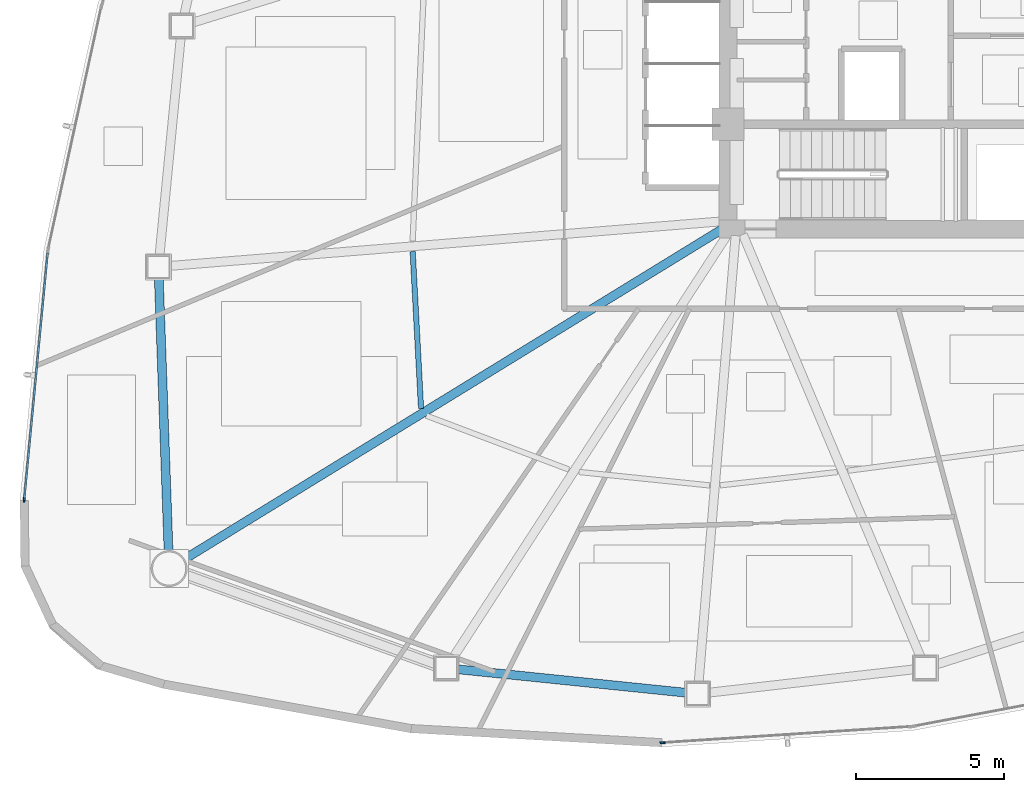
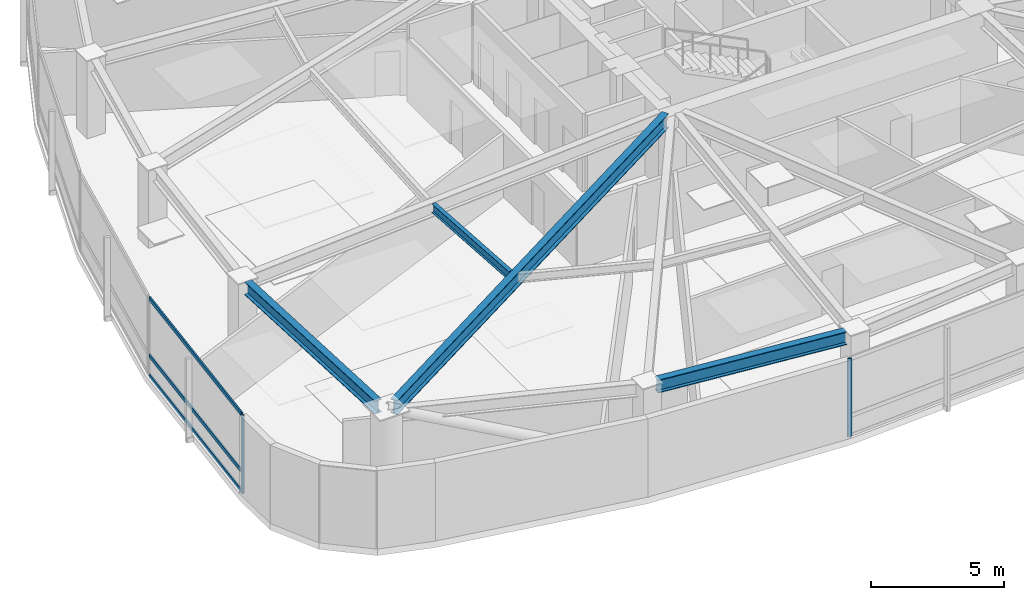
# One storey, part 2 of 18: 5 members, 4 beams, 2 elements without a shape of their own.
"""IFC4 building model written with IfcOpenShell, lengths in metres."""

import ifcopenshell
import ifcopenshell.guid

model = None  # the IFC model being written
_history = None  # IfcOwnerHistory: only IFC2X3 demands one
_inside = {}  # id of a spatial element -> (the spatial element, [elements in it])
_under = {}  # id of a project, library or spatial element -> (it, [spatial elements below it])
_declared = {}  # id of a project -> (the project, [libraries it declares])
_typed = {}  # id of a type object -> (the type object, [elements of that type])
_made_of = {}  # id of a material, layer set ... -> (it, [elements and type objects made of it])


def new_model(schema):
    """Start an empty IFC model of exactly this schema.

    Asked for "IFC4X3", IfcOpenShell would pick the latest addendum, in which some entities
    have other attributes; the version numbers below select the first issue.
    IFC2X3 requires an IfcOwnerHistory on every rooted entity: one is made here for all.
    """
    global model, _history
    if schema == "IFC4X3":
        model = ifcopenshell.file(schema_version=(4, 3, 0, 0))
    else:
        model = ifcopenshell.file(schema=schema)
    _inside.clear()
    _under.clear()
    _declared.clear()
    _typed.clear()
    _made_of.clear()
    _history = None
    if model.schema == "IFC2X3":
        org = make("IfcOrganization", Name="unknown")
        user = make(
            "IfcPersonAndOrganization",
            ThePerson=make("IfcPerson", FamilyName="unknown"),
            TheOrganization=org,
        )
        app = make(
            "IfcApplication",
            ApplicationDeveloper=org,
            Version="unknown",
            ApplicationFullName="unknown",
            ApplicationIdentifier="unknown",
        )
        _history = make(
            "IfcOwnerHistory",
            OwningUser=user,
            OwningApplication=app,
            ChangeAction="ADDED",
            CreationDate=0,
        )
    return model


def make(cls, **values):
    """One entity of the class cls with the attributes given. An attribute that is None is left unset."""
    return model.create_entity(
        cls, **{name: value for name, value in values.items() if value is not None}
    )


def rooted(cls, **values):
    """An entity with a GlobalId (a new one), such as an element, a storey or a relation."""
    return make(cls, GlobalId=ifcopenshell.guid.new(), OwnerHistory=_history, **values)


def si_unit(unit_type, name, prefix=None):
    """IfcSIUnit, for example si_unit("LENGTHUNIT", "METRE", prefix="MILLI")."""
    return make("IfcSIUnit", UnitType=unit_type, Prefix=prefix, Name=name)


def assignment(units):
    """IfcUnitAssignment: the units of a project."""
    return None if units is None else make("IfcUnitAssignment", Units=units)


def point(xyz):
    """IfcCartesianPoint."""
    return None if xyz is None else make("IfcCartesianPoint", Coordinates=xyz)


def direction(xyz):
    """IfcDirection."""
    return None if xyz is None else make("IfcDirection", DirectionRatios=xyz)


def frame(location, z_axis=None, x_axis=None):
    """IfcAxis2Placement3D, a coordinate frame: its origin and axes. An axis left out is left unset."""
    return make(
        "IfcAxis2Placement3D",
        Location=point(location),
        Axis=direction(z_axis),
        RefDirection=direction(x_axis),
    )


def frame_2d(location, x_axis=None):
    """IfcAxis2Placement2D, a coordinate frame in the plane: its origin and x axis."""
    return make(
        "IfcAxis2Placement2D", Location=point(location), RefDirection=direction(x_axis)
    )


def origin():
    """The frame at (0, 0, 0) with its axes left unset."""
    return frame((0.0, 0.0, 0.0))


def origin_2d():
    """The frame at (0, 0) in the plane with its x axis left unset."""
    return frame_2d((0.0, 0.0))


def place(relative_to, where):
    """IfcLocalPlacement: puts the frame where relative to a parent placement (None: the world)."""
    return make(
        "IfcLocalPlacement", PlacementRelTo=relative_to, RelativePlacement=where
    )


def context(
    kind, dimensions, precision=None, world=None, true_north=None, identifier=None
):
    """IfcGeometricRepresentationContext, for example the 3D "Model" context."""
    return make(
        "IfcGeometricRepresentationContext",
        ContextIdentifier=identifier,
        ContextType=kind,
        CoordinateSpaceDimension=dimensions,
        Precision=precision,
        WorldCoordinateSystem=world,
        TrueNorth=true_north,
    )


def subcontext(parent, identifier, kind, view, scale=None):
    """IfcGeometricRepresentationSubContext, for example "Body" below "Model"."""
    return make(
        "IfcGeometricRepresentationSubContext",
        ContextIdentifier=identifier,
        ContextType=kind,
        ParentContext=parent,
        TargetScale=scale,
        TargetView=view,
    )


def project(units=None, contexts=None):
    """IfcProject with its units and contexts."""
    return rooted(
        "IfcProject",
        Name="project",
        RepresentationContexts=contexts,
        UnitsInContext=assignment(units),
    )


def spatial(cls, under=None, at=None, **own):
    """A site, building, storey or space (cls), placed at a placement, below another one or the project."""
    s = rooted(cls, ObjectPlacement=at, **own)
    if under is not None:
        _under.setdefault(under.id(), (under, []))[1].append(s)
    return s


def profile(cls, at=None, kind="AREA", **sizes):
    """A parametric profile (cls). Its sizes go by their IFC names, for example OverallWidth=200.0."""
    return make(cls, ProfileType=kind, Position=at, **sizes)


def hollow_rectangle(**sizes):
    """IfcRectangleHollowProfileDef."""
    return profile("IfcRectangleHollowProfileDef", **sizes)


def i_section(**sizes):
    """IfcIShapeProfileDef."""
    return profile("IfcIShapeProfileDef", **sizes)


def extrude(swept, where, along, depth):
    """IfcExtrudedAreaSolid: the profile swept, set in the frame where, extruded along a direction by depth."""
    return make(
        "IfcExtrudedAreaSolid",
        SweptArea=swept,
        Position=where,
        ExtrudedDirection=direction(along),
        Depth=depth,
    )


def shape(context_of_items, identifier, shape_type, items):
    """IfcShapeRepresentation: the items that make up one representation, for example the "Body"."""
    return make(
        "IfcShapeRepresentation",
        ContextOfItems=context_of_items,
        RepresentationIdentifier=identifier,
        RepresentationType=shape_type,
        Items=items,
    )


def source(mapping_origin, context_of_items, identifier, shape_type, items):
    """IfcRepresentationMap: a shape defined once, which mapped items show again and again."""
    return make(
        "IfcRepresentationMap",
        MappingOrigin=mapping_origin,
        MappedRepresentation=shape(context_of_items, identifier, shape_type, items),
    )


def transform(
    local_origin,
    x_axis=None,
    y_axis=None,
    z_axis=None,
    scale=None,
    scale2=None,
    scale3=None,
    uniform=True,
):
    """IfcCartesianTransformationOperator3D, or its non-uniform kind. x_axis, y_axis, z_axis: its Axis1, 2, 3."""
    if uniform:
        return make(
            "IfcCartesianTransformationOperator3D",
            Axis1=direction(x_axis),
            Axis2=direction(y_axis),
            LocalOrigin=point(local_origin),
            Scale=scale,
            Axis3=direction(z_axis),
        )
    return make(
        "IfcCartesianTransformationOperator3DnonUniform",
        Axis1=direction(x_axis),
        Axis2=direction(y_axis),
        LocalOrigin=point(local_origin),
        Scale=scale,
        Axis3=direction(z_axis),
        Scale2=scale2,
        Scale3=scale3,
    )


def mapped(mapping_source, mapping_target):
    """IfcMappedItem: shows the shape of a source again, moved by a transform."""
    return make(
        "IfcMappedItem", MappingSource=mapping_source, MappingTarget=mapping_target
    )


def material(Name=None, Category=None):
    """IfcMaterial."""
    return make("IfcMaterial", Name=Name, Category=Category)


def layer(
    of_material, thickness, ventilated=None, Name=None, Category=None, Priority=None
):
    """IfcMaterialLayer: one layer of a wall or slab, of a material (None: an air gap)."""
    return make(
        "IfcMaterialLayer",
        Material=of_material,
        LayerThickness=thickness,
        IsVentilated=ventilated,
        Name=Name,
        Category=Category,
        Priority=Priority,
    )


def layer_set(layers, Name=None):
    """IfcMaterialLayerSet."""
    return make("IfcMaterialLayerSet", MaterialLayers=layers, LayerSetName=Name)


def material_profile(
    of_material, cross_section, Name=None, Category=None, Priority=None
):
    """IfcMaterialProfile: a cross section and its material."""
    return make(
        "IfcMaterialProfile",
        Name=Name,
        Material=of_material,
        Profile=cross_section,
        Priority=Priority,
        Category=Category,
    )


def profile_set(profiles, Name=None, composite=None):
    """IfcMaterialProfileSet."""
    return make(
        "IfcMaterialProfileSet",
        Name=Name,
        MaterialProfiles=profiles,
        CompositeProfile=composite,
    )


def made_of(thing, what):
    """Note that an element or type object is made of a material, layer set ...; save() writes the relation."""
    if what is not None:
        _made_of.setdefault(what.id(), (what, []))[1].append(thing)
    return thing


def type_object(cls, material=None, **own):
    """A type object (cls), such as IfcWallType, which elements share."""
    return made_of(rooted(cls, **own), material)


def type_shapes(of_type, sources):
    """Give a type object the sources (RepresentationMaps) that its elements show as mapped items."""
    of_type.RepresentationMaps = sources


def element(
    cls,
    number,
    at=None,
    inside=None,
    cuts=None,
    type_object=None,
    material=None,
    context=None,
    identifier="Body",
    shape_type=None,
    held_by="IfcProductDefinitionShape",
    body=None,
    shapes=None,
    **own,
):
    """One element of the class cls, such as IfcWall. Its Tag is "e" and its number.

    at: its placement. inside: the storey or other place that contains it. cuts: it is an
    opening in that element (IfcRelVoidsElement). A single representation is given by context,
    identifier, shape_type and body (its items); several are given by shapes. held_by: the class
    of the entity that holds the representations. save() writes the other relations.
    """
    e = rooted(cls, Tag="e%d" % number, ObjectPlacement=at, **own)
    if body is not None:
        shapes = [shape(context, identifier, shape_type, body)]
    if shapes is not None:
        e.Representation = make(held_by, Representations=shapes)
    if inside is not None:
        _inside.setdefault(inside.id(), (inside, []))[1].append(e)
    if cuts is not None:
        rooted(
            "IfcRelVoidsElement", RelatingBuildingElement=cuts, RelatedOpeningElement=e
        )
    if type_object is not None:
        _typed.setdefault(type_object.id(), (type_object, []))[1].append(e)
    return made_of(e, material)


def aggregate(whole, parts):
    """IfcRelAggregates: a whole, such as a stair, and the parts it consists of."""
    return rooted("IfcRelAggregates", RelatingObject=whole, RelatedObjects=parts)


def save(model, path):
    """Write the relations noted so far, then the file.

    IfcRelAggregates (storeys below a building ...), IfcRelContainedInSpatialStructure (elements
    in a storey), IfcRelDefinesByType, IfcRelAssociatesMaterial and IfcRelDeclares: one each for
    every whole, place, type object, material and project.
    """
    for whole, parts in _under.values():
        aggregate(whole, parts)
    for where, things in _inside.values():
        rooted(
            "IfcRelContainedInSpatialStructure",
            RelatedElements=things,
            RelatingStructure=where,
        )
    for kind, things in _typed.values():
        rooted("IfcRelDefinesByType", RelatedObjects=things, RelatingType=kind)
    for what, things in _made_of.values():
        rooted("IfcRelAssociatesMaterial", RelatedObjects=things, RelatingMaterial=what)
    for by, libraries in _declared.values():
        rooted("IfcRelDeclares", RelatingContext=by, RelatedDefinitions=libraries)
    model.write(path)


model = new_model("IFC4")

# Units and contexts
model_context = context("Model", 3, precision=1e-05, world=origin(), true_north=direction((0.0, 1.0)))
body_context = subcontext(model_context, "Body", "Model", "MODEL_VIEW")
ifc_project = project(units=[si_unit("LENGTHUNIT", "METRE"), si_unit("AREAUNIT", "SQUARE_METRE"), si_unit("VOLUMEUNIT", "CUBIC_METRE"), si_unit("PLANEANGLEUNIT", "RADIAN"), si_unit("MASSUNIT", "GRAM", prefix="KILO")], contexts=[model_context])

# Site, building, storey
site_placement = place(None, origin())
site = spatial("IfcSite", under=ifc_project, at=site_placement, CompositionType="ELEMENT")
building_placement = place(site_placement, origin())
building = spatial("IfcBuilding", under=site, at=building_placement, Name="Tavelor Broadcast Tower", CompositionType="ELEMENT")
storey_placement = place(building_placement, frame((0.0, 0.0, 54.89990234375)))
storey = spatial("IfcBuildingStorey", under=building, at=storey_placement, Name="L12", CompositionType="ELEMENT", Elevation=54.89990234375)

# Beams
ifc_material_1 = material(Name="Steel S355", Category="steel")
ifc_material_profile_1 = material_profile(ifc_material_1, i_section(OverallWidth=0.179931640625, OverallDepth=0.39990234375, WebThickness=0.008544921875, FlangeThickness=0.013427734375, at=origin_2d()), Name="IPE 400")
ifc_profile_set_1 = profile_set([ifc_material_profile_1], Name="Steel S355")
beam_type_1 = type_object("IfcBeamType", Name="Composite Floor Joist T1 IPE 400", PredefinedType="JOIST", material=ifc_profile_set_1)
beam_1_placement = place(storey_placement, frame((32.413330078125, 37.73095703125, 3.400146484375), z_axis=(0.053261912521, -0.998580576956, 0.0), x_axis=(0.998580576956, 0.053261912521, 0.0)))
element("IfcBeam", 1, at=beam_1_placement, inside=storey, type_object=beam_type_1, Name="L12 Secondary Composite Floor Joist 06", PredefinedType="JOIST", context=body_context, shape_type="SweptSolid", body=[
    extrude(i_section(OverallWidth=0.179931640625, OverallDepth=0.39990234375, WebThickness=0.008544921875, FlangeThickness=0.013427734375, at=origin_2d()), origin(), (0.0, 0.0, 1.0), 5.32177734375),
])
ifc_material_profile_2 = material_profile(ifc_material_1, i_section(OverallWidth=0.300048828125, OverallDepth=0.60009765625, WebThickness=0.015380859375, FlangeThickness=0.030029296875, at=origin_2d()), Name="HEB 600")
ifc_profile_set_2 = profile_set([ifc_material_profile_2], Name="Steel S355")
beam_type_2 = type_object("IfcBeamType", Name="Perimeter Spandrel Beam T1 HEB 600", PredefinedType="SPANDREL", material=ifc_profile_set_2)
beam_2_placement = place(storey_placement, frame((23.808349609375, 36.83251953125, 3.300048828125), z_axis=(0.035604109309, -0.999365972705, 0.0), x_axis=(0.999365972705, 0.035604109309, 0.0)))
element("IfcBeam", 2, at=beam_2_placement, inside=storey, type_object=beam_type_2, Name="L12 Framed-Tube Ring Spandrel 06", PredefinedType="SPANDREL", context=body_context, shape_type="SweptSolid", body=[
    extrude(i_section(OverallWidth=0.300048828125, OverallDepth=0.60009765625, WebThickness=0.015380859375, FlangeThickness=0.030029296875, at=origin_2d()), origin(), (0.0, 0.0, 1.0), 9.263916015625),
])
beam_3_placement = place(storey_placement, frame((33.932861328125, 23.576416015625, 3.300048828125), z_axis=(0.994769619219, -0.102144038879, 0.0), x_axis=(0.102144038879, 0.994769619219, 0.0)))
element("IfcBeam", 3, at=beam_3_placement, inside=storey, type_object=beam_type_2, Name="L12 Framed-Tube Ring Spandrel 08", PredefinedType="SPANDREL", context=body_context, shape_type="SweptSolid", body=[
    extrude(i_section(OverallWidth=0.300048828125, OverallDepth=0.60009765625, WebThickness=0.015380859375, FlangeThickness=0.030029296875, at=origin_2d()), origin(), (0.0, 0.0, 1.0), 7.799072265625),
])
ifc_material_profile_3 = material_profile(ifc_material_1, i_section(OverallWidth=0.300048828125, OverallDepth=0.64990234375, WebThickness=0.01611328125, FlangeThickness=0.031005859375, at=origin_2d()), Name="HEB 650")
ifc_profile_set_3 = profile_set([ifc_material_profile_3], Name="Steel S355")
beam_type_3 = type_object("IfcBeamType", Name="Radial Floor Girder T1 HEB 650", PredefinedType="BEAM", material=ifc_profile_set_3)
beam_4_placement = place(storey_placement, frame((42.949951171875, 38.523681640625, 3.275146484375), z_axis=(-0.852260376483, -0.523117817205, 0.0), x_axis=(0.523117817205, -0.852260376483, 0.0)))
element("IfcBeam", 4, at=beam_4_placement, inside=storey, type_object=beam_type_3, Name="L12 Radial Primary Floor Girder 07", PredefinedType="BEAM", context=body_context, shape_type="SweptSolid", body=[
    extrude(i_section(OverallWidth=0.300048828125, OverallDepth=0.64990234375, WebThickness=0.01611328125, FlangeThickness=0.031005859375, at=origin_2d()), origin(), (0.0, 0.0, 1.0), 21.463134765625),
])

# Curtain wall, member
ifc_material_2 = material(Name="Architectural Anodized Aluminium", Category="aluminium")
ifc_layer = layer(ifc_material_2, 0.179931640625)
ifc_layer_set = layer_set([ifc_layer], Name="Architectural Anodized Aluminium")
curtain_wall_type = type_object("IfcCurtainWallType", Name="Tower Low-Zone Unitised Curtain Wall CW02", PredefinedType="NOTDEFINED", material=ifc_layer_set)
curtain_wall_1_placement = place(storey_placement, origin())
curtain_wall_1 = element("IfcCurtainWall", 5, at=curtain_wall_1_placement, inside=storey, type_object=curtain_wall_type, Name="L12 Curtain Wall CW02 Run 100", PredefinedType="NOTDEFINED")
ifc_material_profile_4 = material_profile(ifc_material_2, hollow_rectangle(XDim=0.06494140625, YDim=0.179931640625, WallThickness=0.02197265625, at=origin_2d()), Name="RHS 65x180x22")
ifc_profile_set_4 = profile_set([ifc_material_profile_4], Name="Architectural Anodized Aluminium")
member_type_1 = type_object("IfcMemberType", Name="CW02 Extruded Aluminium Mullion 65x180", PredefinedType="MULLION", material=ifc_profile_set_4)
shared_shape_1 = source(origin(), body_context, "Body", "SweptSolid", [
    extrude(hollow_rectangle(XDim=0.06494140625, YDim=0.179931640625, WallThickness=0.02197265625, at=origin_2d()), origin(), (0.0, 0.0, 1.0), 3.60009765625),
])
type_shapes(member_type_1, [shared_shape_1])
member_1_placement = place(storey_placement, frame((19.246826171875, 29.3232421875, 0.0), z_axis=(0.0, 0.0, 1.0), x_axis=(0.995523445141, -0.094514920377, 0.0)))
member_1 = element("IfcMember", 6, at=member_1_placement, type_object=member_type_1, Name="CW02 mullion 2", PredefinedType="MULLION", context=body_context, shape_type="MappedRepresentation", body=[
    mapped(shared_shape_1, transform((0.0, 0.0, 0.0), scale=1.0)),
])

curtain_wall_2_placement = place(storey_placement, origin())
curtain_wall_2 = element("IfcCurtainWall", 7, at=curtain_wall_2_placement, inside=storey, type_object=curtain_wall_type, Name="L12 Curtain Wall CW02 Run 101", PredefinedType="NOTDEFINED")
member_2_placement = place(storey_placement, frame((40.88525390625, 21.086669921875, 0.0), z_axis=(0.0, 0.0, 1.0), x_axis=(-0.064965318395, 0.997887522422, 0.0)))
member_2 = element("IfcMember", 8, at=member_2_placement, type_object=member_type_1, Name="CW02 mullion 1", PredefinedType="MULLION", context=body_context, shape_type="MappedRepresentation", body=[
    mapped(shared_shape_1, transform((0.0, 0.0, 0.0), scale=1.0)),
])
aggregate(curtain_wall_2, [member_2])

# Member
ifc_material_profile_5 = material_profile(ifc_material_2, hollow_rectangle(XDim=0.06494140625, YDim=0.179931640625, WallThickness=0.02197265625, at=origin_2d()), Name="RHS 65x180x22")
ifc_profile_set_5 = profile_set([ifc_material_profile_5], Name="Architectural Anodized Aluminium")
member_type_2 = type_object("IfcMemberType", Name="CW02 Extruded Aluminium Transom 65x180", PredefinedType="USERDEFINED", material=ifc_profile_set_5)
shared_shape_2 = source(origin(), body_context, "Body", "SweptSolid", [
    extrude(hollow_rectangle(XDim=0.06494140625, YDim=0.179931640625, WallThickness=0.02197265625, at=origin_2d()), origin(), (0.0, 0.0, 1.0), 8.37255859375),
])
type_shapes(member_type_2, [shared_shape_2])
member_3_placement = place(storey_placement, frame((20.041259765625, 37.6904296875, 0.03271484375), z_axis=(-0.094536623557, -0.995521384404, 0.0), x_axis=(0.995521384404, -0.094536623557, 0.0)))
member_3 = element("IfcMember", 9, at=member_3_placement, type_object=member_type_2, Name="CW02 transom 1.1", ObjectType="TRANSOM", PredefinedType="USERDEFINED", context=body_context, shape_type="MappedRepresentation", body=[
    mapped(shared_shape_2, transform((0.0, 0.0, 0.0), scale=1.0)),
])

member_4_placement = place(storey_placement, frame((20.041259765625, 37.6904296875, 0.9501953125), z_axis=(-0.094536623557, -0.995521384404, 0.0), x_axis=(0.995521384404, -0.094536623557, 0.0)))
member_4 = element("IfcMember", 10, at=member_4_placement, type_object=member_type_2, Name="CW02 transom 1.2", ObjectType="TRANSOM", PredefinedType="USERDEFINED", context=body_context, shape_type="MappedRepresentation", body=[
    mapped(shared_shape_2, transform((0.0, 0.0, 0.0), scale=1.0)),
])

member_5_placement = place(storey_placement, frame((20.041259765625, 37.6904296875, 3.567626953125), z_axis=(-0.094536623557, -0.995521384404, 0.0), x_axis=(0.995521384404, -0.094536623557, 0.0)))
member_5 = element("IfcMember", 11, at=member_5_placement, type_object=member_type_2, Name="CW02 transom 1.3", ObjectType="TRANSOM", PredefinedType="USERDEFINED", context=body_context, shape_type="MappedRepresentation", body=[
    mapped(shared_shape_2, transform((0.0, 0.0, 0.0), scale=1.0)),
])

aggregate(curtain_wall_1, [member_1, member_3, member_4, member_5])

save(model, "model.ifc")
